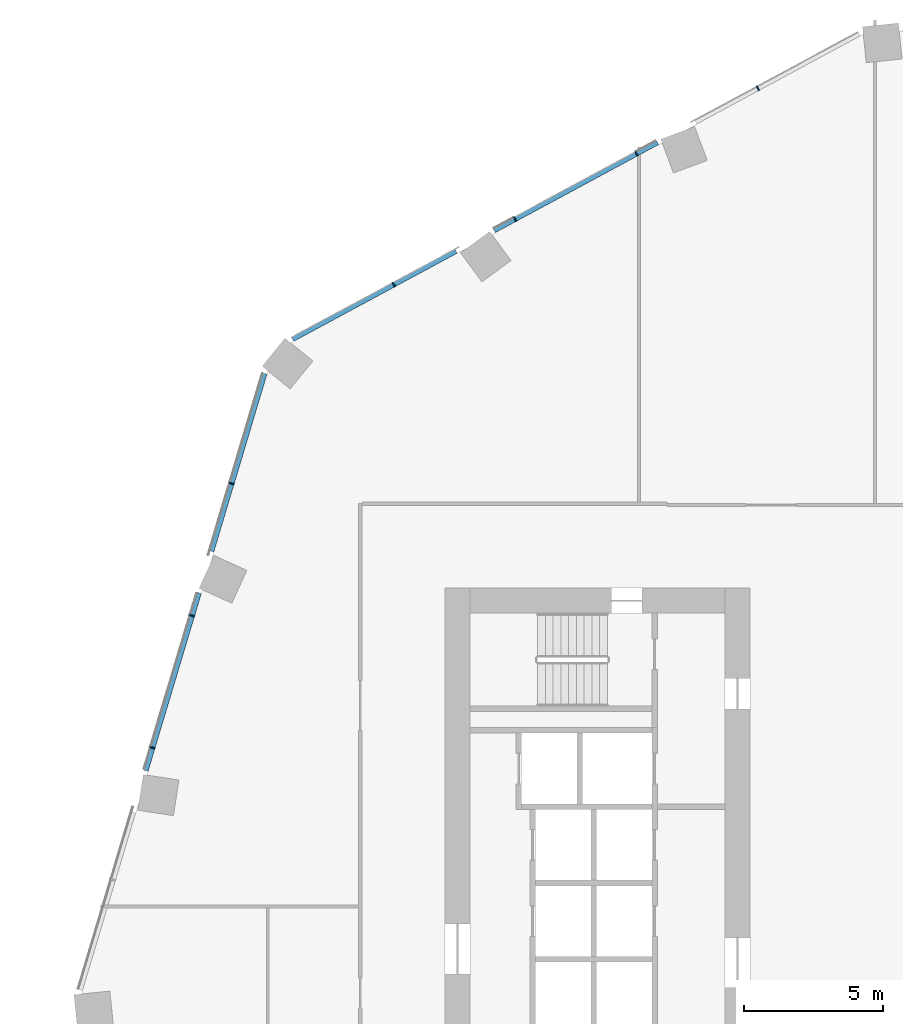
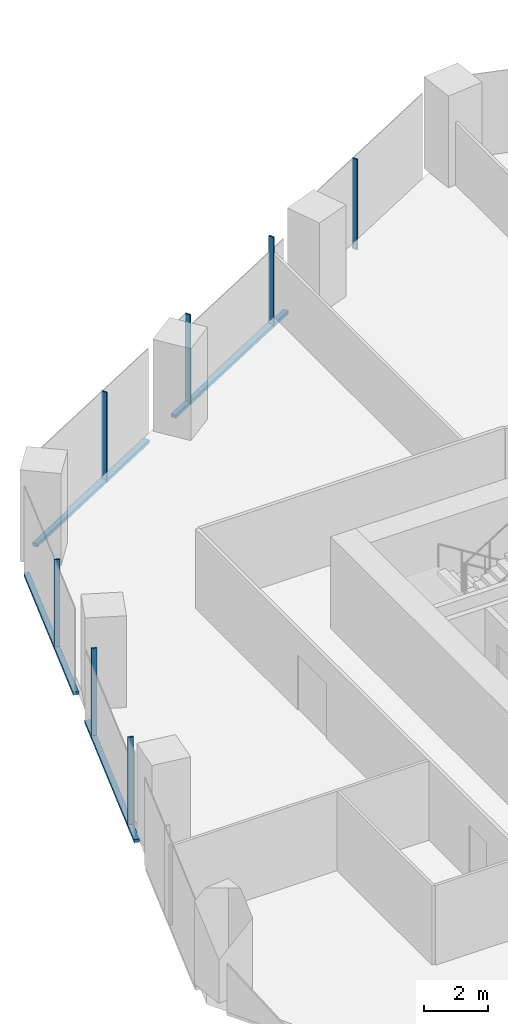
# One storey, part 11 of 34: 11 members, 2 elements without a shape of their own.
"""IFC4 building model written with IfcOpenShell, lengths in metres."""

from ifc_helpers import new_model, si_unit, direction, frame, origin, origin_2d, place, context, subcontext, project, spatial, rectangle, extrude, material, material_profile, profile_set, type_object, element, aggregate, save


model = new_model("IFC4")

# Units and contexts
model_context = context("Model", 3, precision=1e-05, world=origin(), true_north=direction((0.0, 1.0)))
body_context = subcontext(model_context, "Body", "Model", "MODEL_VIEW")
ifc_project = project(units=[si_unit("LENGTHUNIT", "METRE"), si_unit("AREAUNIT", "SQUARE_METRE"), si_unit("VOLUMEUNIT", "CUBIC_METRE"), si_unit("PLANEANGLEUNIT", "RADIAN"), si_unit("MASSUNIT", "GRAM", prefix="KILO")], contexts=[model_context])

# Site, building, storey
site_placement = place(None, origin())
site = spatial("IfcSite", under=ifc_project, at=site_placement, CompositionType="ELEMENT")
building_placement = place(site_placement, origin())
building = spatial("IfcBuilding", under=site, at=building_placement, Name="Orlundy Tower", CompositionType="ELEMENT")
storey_placement = place(building_placement, frame((0.0, 0.0, 137.699951171875)))
storey = spatial("IfcBuildingStorey", under=building, at=storey_placement, Name="L35", CompositionType="ELEMENT", Elevation=137.699951171875)

# Curtain wall, members
ifc_material_1 = material(Name="Aluminium bronze anodised", Category="aluminium")
curtain_wall_type = type_object("IfcCurtainWallType", Name="CW1 wall", PredefinedType="NOTDEFINED", material=ifc_material_1)
curtain_wall_1_placement = place(storey_placement, origin())
curtain_wall_1 = element("IfcCurtainWall", 1, at=curtain_wall_1_placement, inside=storey, type_object=curtain_wall_type, Name="CW1 run 02", PredefinedType="NOTDEFINED")
ifc_material_2 = material(Name="Aluminium bronze anodised", Category="aluminium")
ifc_material_profile_1 = material_profile(ifc_material_2, rectangle(XDim=0.179931640625, YDim=0.050048828125, at=origin_2d()), Name="CW1 mullion 50x180")
ifc_profile_set_1 = profile_set([ifc_material_profile_1], Name="Aluminium bronze anodised")
member_type_1 = type_object("IfcMemberType", Name="CW1 mullion 50x180", PredefinedType="MULLION", material=ifc_profile_set_1)
member_1_placement = place(storey_placement, frame((-29.5390625, 6.2490234375, -0.39990234375), z_axis=(0.0, 0.0, 1.0), x_axis=(-0.957985612971, 0.286816257107, 0.0)))
member_1 = element("IfcMember", 2, at=member_1_placement, type_object=member_type_1, Name="CW1 mullion 11", PredefinedType="MULLION", context=body_context, shape_type="SweptSolid", body=[
    extrude(rectangle(XDim=0.179931640625, YDim=0.050048828125, at=origin_2d()), origin(), (0.0, 0.0, 1.0), 3.449951171875),
])
member_2_placement = place(storey_placement, frame((-28.113525390625, 11.010498046875, -0.39990234375), z_axis=(0.0, 0.0, 1.0), x_axis=(-0.957985612971, 0.286816257107, 0.0)))
member_2 = element("IfcMember", 3, at=member_2_placement, type_object=member_type_1, Name="CW1 mullion 12", PredefinedType="MULLION", context=body_context, shape_type="SweptSolid", body=[
    extrude(rectangle(XDim=0.179931640625, YDim=0.050048828125, at=origin_2d()), origin(), (0.0, 0.0, 1.0), 3.449951171875),
])
member_3_placement = place(storey_placement, frame((-26.687744140625, 15.772216796875, -0.39990234375), z_axis=(0.0, 0.0, 1.0), x_axis=(-0.957985612971, 0.286816257107, 0.0)))
member_3 = element("IfcMember", 4, at=member_3_placement, type_object=member_type_1, Name="CW1 mullion 13", PredefinedType="MULLION", context=body_context, shape_type="SweptSolid", body=[
    extrude(rectangle(XDim=0.179931640625, YDim=0.050048828125, at=origin_2d()), origin(), (0.0, 0.0, 1.0), 3.449951171875),
])

curtain_wall_2_placement = place(storey_placement, origin())
curtain_wall_2 = element("IfcCurtainWall", 5, at=curtain_wall_2_placement, inside=storey, type_object=curtain_wall_type, Name="CW1 run 03", PredefinedType="NOTDEFINED")
member_4_placement = place(storey_placement, frame((-20.843505859375, 22.946533203125, -0.39990234375), z_axis=(0.0, 0.0, 1.0), x_axis=(-0.47461800373, 0.880191882793, 0.0)))
member_4 = element("IfcMember", 6, at=member_4_placement, type_object=member_type_1, Name="CW1 mullion 15", PredefinedType="MULLION", context=body_context, shape_type="SweptSolid", body=[
    extrude(rectangle(XDim=0.179931640625, YDim=0.050048828125, at=origin_2d()), origin(), (0.0, 0.0, 1.0), 3.449951171875),
])
member_5_placement = place(storey_placement, frame((-16.46826171875, 25.3056640625, -0.39990234375), z_axis=(0.0, 0.0, 1.0), x_axis=(-0.47461800373, 0.880191882793, 0.0)))
member_5 = element("IfcMember", 7, at=member_5_placement, type_object=member_type_1, Name="CW1 mullion 16", PredefinedType="MULLION", context=body_context, shape_type="SweptSolid", body=[
    extrude(rectangle(XDim=0.179931640625, YDim=0.050048828125, at=origin_2d()), origin(), (0.0, 0.0, 1.0), 3.449951171875),
])
member_6_placement = place(storey_placement, frame((-12.093017578125, 27.664794921875, -0.39990234375), z_axis=(0.0, 0.0, 1.0), x_axis=(-0.47461800373, 0.880191882793, 0.0)))
member_6 = element("IfcMember", 8, at=member_6_placement, type_object=member_type_1, Name="CW1 mullion 17", PredefinedType="MULLION", context=body_context, shape_type="SweptSolid", body=[
    extrude(rectangle(XDim=0.179931640625, YDim=0.050048828125, at=origin_2d()), origin(), (0.0, 0.0, 1.0), 3.449951171875),
])
member_7_placement = place(storey_placement, frame((-7.718017578125, 30.02392578125, -0.39990234375), z_axis=(0.0, 0.0, 1.0), x_axis=(-0.47461800373, 0.880191882793, 0.0)))
member_7 = element("IfcMember", 9, at=member_7_placement, type_object=member_type_1, Name="CW1 mullion 18", PredefinedType="MULLION", context=body_context, shape_type="SweptSolid", body=[
    extrude(rectangle(XDim=0.179931640625, YDim=0.050048828125, at=origin_2d()), origin(), (0.0, 0.0, 1.0), 3.449951171875),
])

# Member
ifc_material_3 = material(Name="Aluminium bronze anodised", Category="aluminium")
ifc_material_profile_2 = material_profile(ifc_material_3, rectangle(XDim=0.179931640625, YDim=0.1201171875, at=origin_2d()), Name="CW1 transom 180x120")
ifc_profile_set_2 = profile_set([ifc_material_profile_2], Name="Aluminium bronze anodised")
member_type_2 = type_object("IfcMemberType", Name="CW1 transom 180x120", PredefinedType="USERDEFINED", material=ifc_profile_set_2)
member_8_placement = place(storey_placement, frame((-29.7861328125, 5.42333984375, -0.33984375), z_axis=(0.28679911732, 0.957990744373, 0.0), x_axis=(-0.957990744373, 0.28679911732, 0.0)))
member_8 = element("IfcMember", 10, at=member_8_placement, type_object=member_type_2, Name="CW1 transom", ObjectType="TRANSOM", PredefinedType="USERDEFINED", context=body_context, shape_type="SweptSolid", body=[
    extrude(rectangle(XDim=0.179931640625, YDim=0.1201171875, at=origin_2d()), origin(), (0.0, 0.0, 1.0), 6.6943359375),
])

member_9_placement = place(storey_placement, frame((-27.417236328125, 13.3359375, -0.33984375), z_axis=(0.28681514222, 0.957985946762, 0.0), x_axis=(-0.957985946762, 0.28681514222, 0.0)))
member_9 = element("IfcMember", 11, at=member_9_placement, type_object=member_type_2, Name="CW1 transom", ObjectType="TRANSOM", PredefinedType="USERDEFINED", context=body_context, shape_type="SweptSolid", body=[
    extrude(rectangle(XDim=0.179931640625, YDim=0.1201171875, at=origin_2d()), origin(), (0.0, 0.0, 1.0), 6.685302734375),
])

aggregate(curtain_wall_1, [member_1, member_2, member_3, member_8, member_9])

member_10_placement = place(storey_placement, frame((-24.489013671875, 20.980712890625, -0.33984375), z_axis=(0.880189674732, 0.474622098616, 0.0), x_axis=(-0.474622098616, 0.880189674732, 0.0)))
member_10 = element("IfcMember", 12, at=member_10_placement, type_object=member_type_2, Name="CW1 transom", ObjectType="TRANSOM", PredefinedType="USERDEFINED", context=body_context, shape_type="SweptSolid", body=[
    extrude(rectangle(XDim=0.179931640625, YDim=0.1201171875, at=origin_2d()), origin(), (0.0, 0.0, 1.0), 6.689208984375),
])

member_11_placement = place(storey_placement, frame((-17.226806640625, 24.896728515625, -0.33984375), z_axis=(0.880200432589, 0.474602147563, 0.0), x_axis=(-0.474602147563, 0.880200432589, 0.0)))
member_11 = element("IfcMember", 13, at=member_11_placement, type_object=member_type_2, Name="CW1 transom", ObjectType="TRANSOM", PredefinedType="USERDEFINED", context=body_context, shape_type="SweptSolid", body=[
    extrude(rectangle(XDim=0.179931640625, YDim=0.1201171875, at=origin_2d()), origin(), (0.0, 0.0, 1.0), 6.694091796875),
])

aggregate(curtain_wall_2, [member_4, member_5, member_6, member_7, member_10, member_11])

save(model, "model.ifc")
